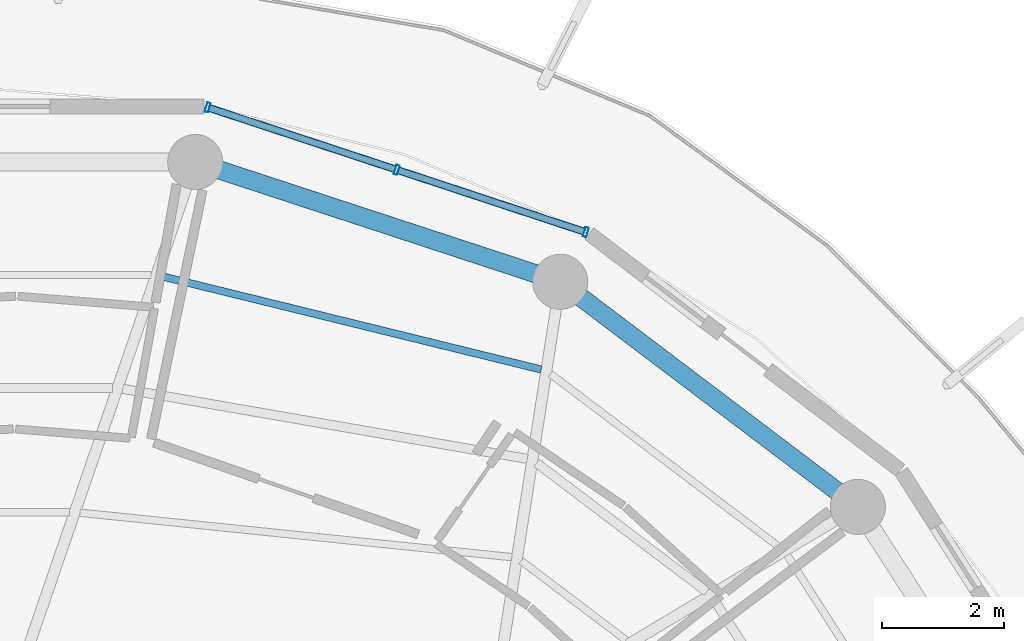
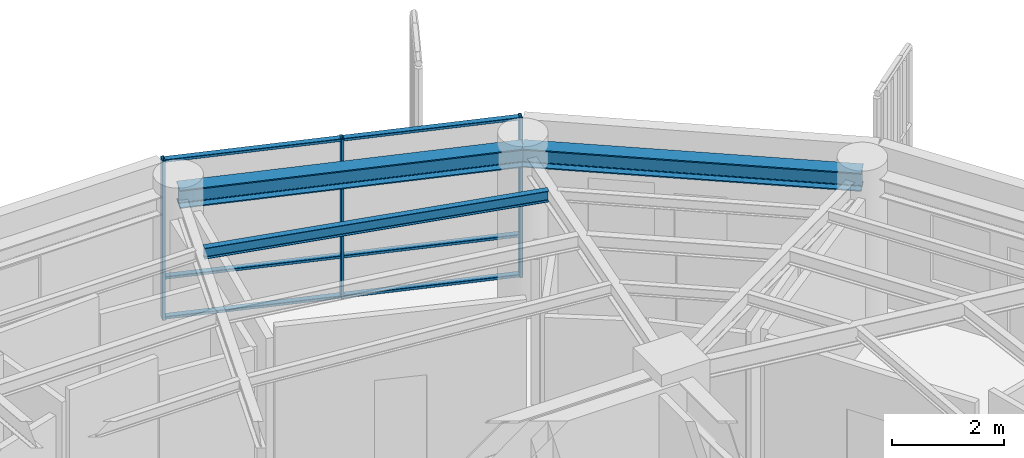
# One storey, part 14 of 23: 9 members, 3 beams, 1 element without a shape of its own.
"""IFC4 building model written with IfcOpenShell, lengths in metres."""

from ifc_helpers import new_model, si_unit, direction, frame, origin, origin_2d, place, context, subcontext, project, spatial, hollow_rectangle, i_section, extrude, material, layer, layer_set, material_profile, profile_set, type_object, element, aggregate, save


model = new_model("IFC4")

# Units and contexts
model_context = context("Model", 3, precision=1e-05, world=origin(), true_north=direction((0.0, 1.0)))
body_context = subcontext(model_context, "Body", "Model", "MODEL_VIEW")
ifc_project = project(units=[si_unit("LENGTHUNIT", "METRE"), si_unit("AREAUNIT", "SQUARE_METRE"), si_unit("VOLUMEUNIT", "CUBIC_METRE"), si_unit("PLANEANGLEUNIT", "RADIAN"), si_unit("MASSUNIT", "GRAM", prefix="KILO")], contexts=[model_context])

# Site, building, storey
site_placement = place(None, origin())
site = spatial("IfcSite", under=ifc_project, at=site_placement, CompositionType="ELEMENT")
building_placement = place(site_placement, origin())
building = spatial("IfcBuilding", under=site, at=building_placement, Name="Kelanora Arch Commons", CompositionType="ELEMENT")
storey_placement = place(building_placement, frame((0.0, 0.0, 256.199951171875)))
storey = spatial("IfcBuildingStorey", under=building, at=storey_placement, Name="L65", CompositionType="ELEMENT", Elevation=256.199951171875)

# Beams
ifc_material_1 = material(Name="Steel S355", Category="steel")
ifc_material_profile_1 = material_profile(ifc_material_1, i_section(OverallWidth=0.1201171875, OverallDepth=0.239990234375, WebThickness=0.006103515625, FlangeThickness=0.009765625, FilletRadius=0.014892578125, at=origin_2d()), Name="IPE240")
ifc_profile_set_1 = profile_set([ifc_material_profile_1], Name="Steel S355")
beam_type_1 = type_object("IfcBeamType", Name="BM-JST-02", PredefinedType="JOIST", material=ifc_profile_set_1)
beam_1_placement = place(storey_placement, frame((82.82958984375, 70.837890625, 3.3701171875), z_axis=(-0.971109719488, 0.23863342749, 0.0), x_axis=(-0.23863342749, -0.971109719488, 0.0)))
element("IfcBeam", 1, at=beam_1_placement, inside=storey, type_object=beam_type_1, Name="Secondary Chord Joist BJC-06 L65", PredefinedType="JOIST", context=body_context, shape_type="SweptSolid", body=[
    extrude(i_section(OverallWidth=0.1201171875, OverallDepth=0.239990234375, WebThickness=0.006103515625, FlangeThickness=0.009765625, FilletRadius=0.014892578125, at=origin_2d()), origin(), (0.0, 0.0, 1.0), 6.39208984375),
])
ifc_material_profile_2 = material_profile(ifc_material_1, i_section(OverallWidth=0.300048828125, OverallDepth=0.39990234375, WebThickness=0.013427734375, FlangeThickness=0.02392578125, FilletRadius=0.027099609375, at=origin_2d()), Name="HEB400")
ifc_profile_set_2 = profile_set([ifc_material_profile_2], Name="Steel S355")
beam_type_2 = type_object("IfcBeamType", Name="BM-SPN-Z4", PredefinedType="SPANDREL", material=ifc_profile_set_2)
beam_2_placement = place(storey_placement, frame((88.00341796875, 68.593017578125, 3.2900390625), z_axis=(-0.797509460967, 0.603306439273, 0.0), x_axis=(-0.603306439273, -0.797509460967, 0.0)))
element("IfcBeam", 2, at=beam_2_placement, inside=storey, type_object=beam_type_2, Name="Perimeter Spandrel Beam BS-04 L65", PredefinedType="SPANDREL", context=body_context, shape_type="SweptSolid", body=[
    extrude(i_section(OverallWidth=0.300048828125, OverallDepth=0.39990234375, WebThickness=0.013427734375, FlangeThickness=0.02392578125, FilletRadius=0.027099609375, at=origin_2d()), origin(), (0.0, 0.0, 1.0), 6.098388671875),
])
beam_3_placement = place(storey_placement, frame((83.139892578125, 72.272216796875, 3.2900390625), z_axis=(-0.950165923039, 0.311744636996, 0.0), x_axis=(-0.311744636996, -0.950165923039, 0.0)))
element("IfcBeam", 3, at=beam_3_placement, inside=storey, type_object=beam_type_2, Name="Perimeter Spandrel Beam BS-06 L65", PredefinedType="SPANDREL", context=body_context, shape_type="SweptSolid", body=[
    extrude(i_section(OverallWidth=0.300048828125, OverallDepth=0.39990234375, WebThickness=0.013427734375, FlangeThickness=0.02392578125, FilletRadius=0.027099609375, at=origin_2d()), origin(), (0.0, 0.0, 1.0), 6.278564453125),
])

# Curtain wall, members
ifc_material_2 = material(Name="Terracotta ceramic-fritted low-E glass and aluminium", Category="masonry")
ifc_layer = layer(ifc_material_2, 0.18994140625)
ifc_layer_set = layer_set([ifc_layer], Name="Terracotta ceramic-fritted low-E glass and aluminium")
curtain_wall_type = type_object("IfcCurtainWallType", Name="CW-SYS-03", PredefinedType="NOTDEFINED", material=ifc_layer_set)
curtain_wall_placement = place(storey_placement, origin())
curtain_wall = element("IfcCurtainWall", 4, at=curtain_wall_placement, inside=storey, type_object=curtain_wall_type, Name="Unitised Curtain Wall L65-B03", PredefinedType="NOTDEFINED")
ifc_material_3 = material(Name="Powder-coated aluminium terracotta", Category="masonry")
ifc_material_profile_3 = material_profile(ifc_material_3, hollow_rectangle(XDim=0.159912109375, YDim=0.06005859375, WallThickness=0.0048828125, InnerFilletRadius=0.0048828125, OuterFilletRadius=0.010009765625, at=origin_2d()), Name="CWM160x60")
ifc_profile_set_3 = profile_set([ifc_material_profile_3], Name="Powder-coated aluminium terracotta")
member_type_1 = type_object("IfcMemberType", Name="CWM-STD", PredefinedType="MULLION", material=ifc_profile_set_3)
member_1_placement = place(storey_placement, frame((83.557373046875, 73.0830078125, 0.0), z_axis=(0.0, 0.0, 1.0), x_axis=(-0.313252785344, -0.949669780752, 0.0)))
member_1 = element("IfcMember", 5, at=member_1_placement, type_object=member_type_1, Name="CW-03 mullion 1", PredefinedType="MULLION", context=body_context, shape_type="SweptSolid", body=[
    extrude(hollow_rectangle(XDim=0.159912109375, YDim=0.06005859375, WallThickness=0.0048828125, InnerFilletRadius=0.0048828125, OuterFilletRadius=0.010009765625, at=origin_2d()), origin(), (0.0, 0.0, 1.0), 3.47509765625),
])
member_2_placement = place(storey_placement, frame((80.467041015625, 74.102294921875, 0.0), z_axis=(0.0, 0.0, 1.0), x_axis=(-0.313252785344, -0.949669780752, 0.0)))
member_2 = element("IfcMember", 6, at=member_2_placement, type_object=member_type_1, Name="CW-03 mullion 2", PredefinedType="MULLION", context=body_context, shape_type="SweptSolid", body=[
    extrude(hollow_rectangle(XDim=0.159912109375, YDim=0.06005859375, WallThickness=0.0048828125, InnerFilletRadius=0.0048828125, OuterFilletRadius=0.010009765625, at=origin_2d()), origin(), (0.0, 0.0, 1.0), 3.47509765625),
])
member_3_placement = place(storey_placement, frame((77.376708984375, 75.12158203125, 0.0), z_axis=(0.0, 0.0, 1.0), x_axis=(-0.313252785344, -0.949669780752, 0.0)))
member_3 = element("IfcMember", 7, at=member_3_placement, type_object=member_type_1, Name="CW-03 mullion 3", PredefinedType="MULLION", context=body_context, shape_type="SweptSolid", body=[
    extrude(hollow_rectangle(XDim=0.159912109375, YDim=0.06005859375, WallThickness=0.0048828125, InnerFilletRadius=0.0048828125, OuterFilletRadius=0.010009765625, at=origin_2d()), origin(), (0.0, 0.0, 1.0), 3.47509765625),
])
ifc_material_profile_4 = material_profile(ifc_material_3, hollow_rectangle(XDim=0.1201171875, YDim=0.06005859375, WallThickness=0.0048828125, InnerFilletRadius=0.0048828125, OuterFilletRadius=0.010009765625, at=origin_2d()), Name="CWT120x60")
ifc_profile_set_4 = profile_set([ifc_material_profile_4], Name="Powder-coated aluminium terracotta")
member_type_2 = type_object("IfcMemberType", Name="CWT-STD", PredefinedType="USERDEFINED", material=ifc_profile_set_4)
member_4_placement = place(storey_placement, frame((83.52880859375, 73.09228515625, 0.030029296875), z_axis=(-0.949672315102, 0.313245102003, 0.0), x_axis=(-0.313245102003, -0.949672315102, 0.0)))
member_4 = element("IfcMember", 8, at=member_4_placement, type_object=member_type_2, Name="CW-03 transom 1.1", ObjectType="TRANSOM", PredefinedType="USERDEFINED", context=body_context, shape_type="SweptSolid", body=[
    extrude(hollow_rectangle(XDim=0.1201171875, YDim=0.06005859375, WallThickness=0.0048828125, InnerFilletRadius=0.0048828125, OuterFilletRadius=0.010009765625, at=origin_2d()), origin(), (0.0, 0.0, 1.0), 3.19384765625),
])
member_5_placement = place(storey_placement, frame((83.52880859375, 73.09228515625, 0.900146484375), z_axis=(-0.949672315102, 0.313245102003, 0.0), x_axis=(-0.313245102003, -0.949672315102, 0.0)))
member_5 = element("IfcMember", 9, at=member_5_placement, type_object=member_type_2, Name="CW-03 transom 1.2", ObjectType="TRANSOM", PredefinedType="USERDEFINED", context=body_context, shape_type="SweptSolid", body=[
    extrude(hollow_rectangle(XDim=0.1201171875, YDim=0.06005859375, WallThickness=0.0048828125, InnerFilletRadius=0.0048828125, OuterFilletRadius=0.010009765625, at=origin_2d()), origin(), (0.0, 0.0, 1.0), 3.19384765625),
])
member_6_placement = place(storey_placement, frame((83.52880859375, 73.09228515625, 3.445068359375), z_axis=(-0.949672315102, 0.313245102003, 0.0), x_axis=(-0.313245102003, -0.949672315102, 0.0)))
member_6 = element("IfcMember", 10, at=member_6_placement, type_object=member_type_2, Name="CW-03 transom 1.3", ObjectType="TRANSOM", PredefinedType="USERDEFINED", context=body_context, shape_type="SweptSolid", body=[
    extrude(hollow_rectangle(XDim=0.1201171875, YDim=0.06005859375, WallThickness=0.0048828125, InnerFilletRadius=0.0048828125, OuterFilletRadius=0.010009765625, at=origin_2d()), origin(), (0.0, 0.0, 1.0), 3.19384765625),
])
member_7_placement = place(storey_placement, frame((80.4384765625, 74.111572265625, 0.030029296875), z_axis=(-0.949649574195, 0.313314037719, 0.0), x_axis=(-0.313314037719, -0.949649574195, 0.0)))
member_7 = element("IfcMember", 11, at=member_7_placement, type_object=member_type_2, Name="CW-03 transom 2.1", ObjectType="TRANSOM", PredefinedType="USERDEFINED", context=body_context, shape_type="SweptSolid", body=[
    extrude(hollow_rectangle(XDim=0.1201171875, YDim=0.06005859375, WallThickness=0.0048828125, InnerFilletRadius=0.0048828125, OuterFilletRadius=0.010009765625, at=origin_2d()), origin(), (0.0, 0.0, 1.0), 3.194091796875),
])
member_8_placement = place(storey_placement, frame((80.4384765625, 74.111572265625, 0.900146484375), z_axis=(-0.949649574195, 0.313314037719, 0.0), x_axis=(-0.313314037719, -0.949649574195, 0.0)))
member_8 = element("IfcMember", 12, at=member_8_placement, type_object=member_type_2, Name="CW-03 transom 2.2", ObjectType="TRANSOM", PredefinedType="USERDEFINED", context=body_context, shape_type="SweptSolid", body=[
    extrude(hollow_rectangle(XDim=0.1201171875, YDim=0.06005859375, WallThickness=0.0048828125, InnerFilletRadius=0.0048828125, OuterFilletRadius=0.010009765625, at=origin_2d()), origin(), (0.0, 0.0, 1.0), 3.194091796875),
])
member_9_placement = place(storey_placement, frame((80.4384765625, 74.111572265625, 3.445068359375), z_axis=(-0.949649574195, 0.313314037719, 0.0), x_axis=(-0.313314037719, -0.949649574195, 0.0)))
member_9 = element("IfcMember", 13, at=member_9_placement, type_object=member_type_2, Name="CW-03 transom 2.3", ObjectType="TRANSOM", PredefinedType="USERDEFINED", context=body_context, shape_type="SweptSolid", body=[
    extrude(hollow_rectangle(XDim=0.1201171875, YDim=0.06005859375, WallThickness=0.0048828125, InnerFilletRadius=0.0048828125, OuterFilletRadius=0.010009765625, at=origin_2d()), origin(), (0.0, 0.0, 1.0), 3.194091796875),
])
aggregate(curtain_wall, [member_1, member_2, member_3, member_4, member_5, member_6, member_7, member_8, member_9])

save(model, "model.ifc")
